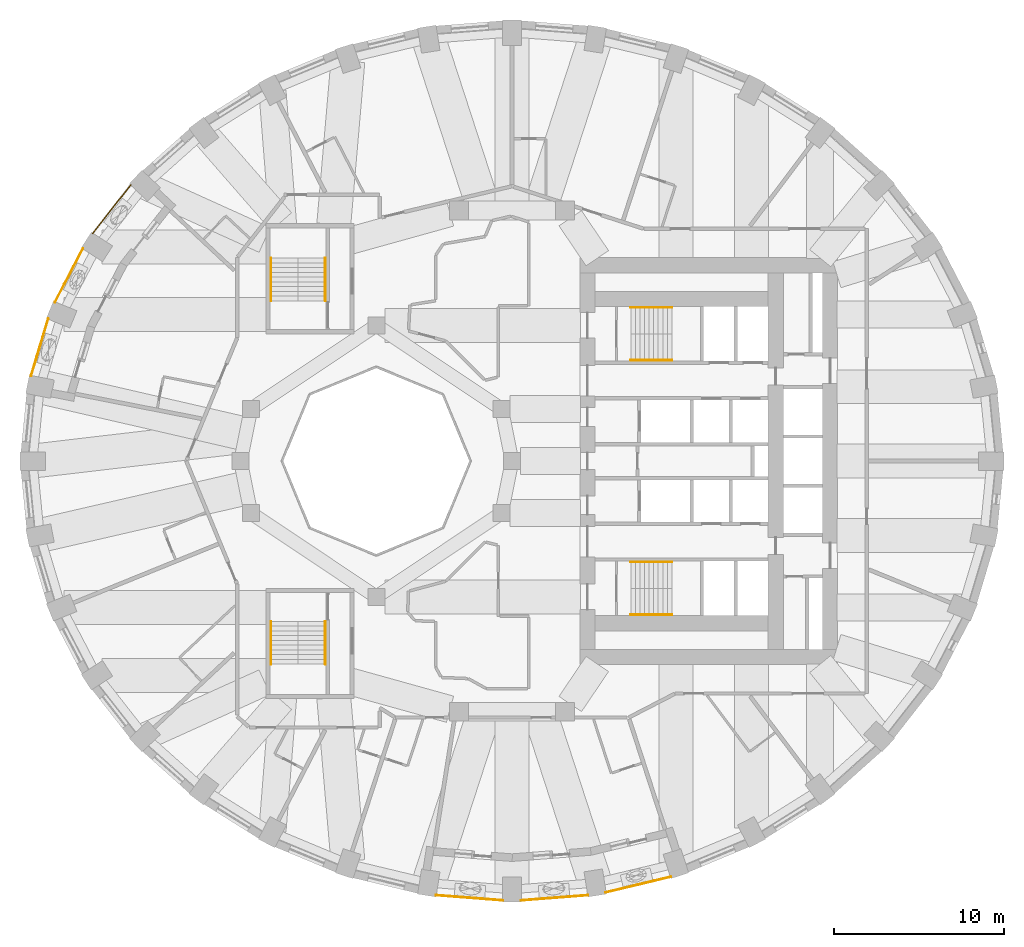
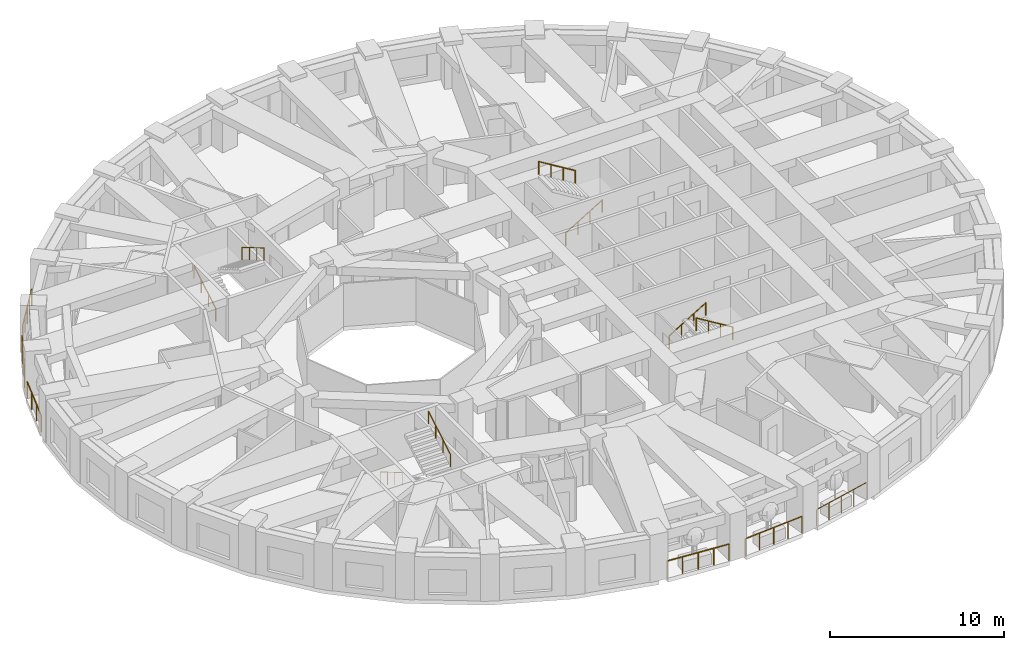
# One storey, part 11 of 13: 14 railings.
"""IFC4 building model written with IfcOpenShell, lengths in metres."""

import ifcopenshell
import ifcopenshell.guid

model = None  # the IFC model being written
_history = None  # IfcOwnerHistory: only IFC2X3 demands one
_inside = {}  # id of a spatial element -> (the spatial element, [elements in it])
_under = {}  # id of a project, library or spatial element -> (it, [spatial elements below it])
_declared = {}  # id of a project -> (the project, [libraries it declares])
_typed = {}  # id of a type object -> (the type object, [elements of that type])
_made_of = {}  # id of a material, layer set ... -> (it, [elements and type objects made of it])


def new_model(schema):
    """Start an empty IFC model of exactly this schema.

    Asked for "IFC4X3", IfcOpenShell would pick the latest addendum, in which some entities
    have other attributes; the version numbers below select the first issue.
    IFC2X3 requires an IfcOwnerHistory on every rooted entity: one is made here for all.
    """
    global model, _history
    if schema == "IFC4X3":
        model = ifcopenshell.file(schema_version=(4, 3, 0, 0))
    else:
        model = ifcopenshell.file(schema=schema)
    _inside.clear()
    _under.clear()
    _declared.clear()
    _typed.clear()
    _made_of.clear()
    _history = None
    if model.schema == "IFC2X3":
        org = make("IfcOrganization", Name="unknown")
        user = make(
            "IfcPersonAndOrganization",
            ThePerson=make("IfcPerson", FamilyName="unknown"),
            TheOrganization=org,
        )
        app = make(
            "IfcApplication",
            ApplicationDeveloper=org,
            Version="unknown",
            ApplicationFullName="unknown",
            ApplicationIdentifier="unknown",
        )
        _history = make(
            "IfcOwnerHistory",
            OwningUser=user,
            OwningApplication=app,
            ChangeAction="ADDED",
            CreationDate=0,
        )
    return model


def make(cls, **values):
    """One entity of the class cls with the attributes given. An attribute that is None is left unset."""
    return model.create_entity(
        cls, **{name: value for name, value in values.items() if value is not None}
    )


def rooted(cls, **values):
    """An entity with a GlobalId (a new one), such as an element, a storey or a relation."""
    return make(cls, GlobalId=ifcopenshell.guid.new(), OwnerHistory=_history, **values)


def si_unit(unit_type, name, prefix=None):
    """IfcSIUnit, for example si_unit("LENGTHUNIT", "METRE", prefix="MILLI")."""
    return make("IfcSIUnit", UnitType=unit_type, Prefix=prefix, Name=name)


def assignment(units):
    """IfcUnitAssignment: the units of a project."""
    return None if units is None else make("IfcUnitAssignment", Units=units)


def point(xyz):
    """IfcCartesianPoint."""
    return None if xyz is None else make("IfcCartesianPoint", Coordinates=xyz)


def direction(xyz):
    """IfcDirection."""
    return None if xyz is None else make("IfcDirection", DirectionRatios=xyz)


def frame(location, z_axis=None, x_axis=None):
    """IfcAxis2Placement3D, a coordinate frame: its origin and axes. An axis left out is left unset."""
    return make(
        "IfcAxis2Placement3D",
        Location=point(location),
        Axis=direction(z_axis),
        RefDirection=direction(x_axis),
    )


def frame_2d(location, x_axis=None):
    """IfcAxis2Placement2D, a coordinate frame in the plane: its origin and x axis."""
    return make(
        "IfcAxis2Placement2D", Location=point(location), RefDirection=direction(x_axis)
    )


def origin():
    """The frame at (0, 0, 0) with its axes left unset."""
    return frame((0.0, 0.0, 0.0))


def origin_2d():
    """The frame at (0, 0) in the plane with its x axis left unset."""
    return frame_2d((0.0, 0.0))


def place(relative_to, where):
    """IfcLocalPlacement: puts the frame where relative to a parent placement (None: the world)."""
    return make(
        "IfcLocalPlacement", PlacementRelTo=relative_to, RelativePlacement=where
    )


def context(
    kind, dimensions, precision=None, world=None, true_north=None, identifier=None
):
    """IfcGeometricRepresentationContext, for example the 3D "Model" context."""
    return make(
        "IfcGeometricRepresentationContext",
        ContextIdentifier=identifier,
        ContextType=kind,
        CoordinateSpaceDimension=dimensions,
        Precision=precision,
        WorldCoordinateSystem=world,
        TrueNorth=true_north,
    )


def subcontext(parent, identifier, kind, view, scale=None):
    """IfcGeometricRepresentationSubContext, for example "Body" below "Model"."""
    return make(
        "IfcGeometricRepresentationSubContext",
        ContextIdentifier=identifier,
        ContextType=kind,
        ParentContext=parent,
        TargetScale=scale,
        TargetView=view,
    )


def project(units=None, contexts=None):
    """IfcProject with its units and contexts."""
    return rooted(
        "IfcProject",
        Name="project",
        RepresentationContexts=contexts,
        UnitsInContext=assignment(units),
    )


def spatial(cls, under=None, at=None, **own):
    """A site, building, storey or space (cls), placed at a placement, below another one or the project."""
    s = rooted(cls, ObjectPlacement=at, **own)
    if under is not None:
        _under.setdefault(under.id(), (under, []))[1].append(s)
    return s


def profile(cls, at=None, kind="AREA", **sizes):
    """A parametric profile (cls). Its sizes go by their IFC names, for example OverallWidth=200.0."""
    return make(cls, ProfileType=kind, Position=at, **sizes)


def circle(**sizes):
    """IfcCircleProfileDef."""
    return profile("IfcCircleProfileDef", **sizes)


def extrude(swept, where, along, depth):
    """IfcExtrudedAreaSolid: the profile swept, set in the frame where, extruded along a direction by depth."""
    return make(
        "IfcExtrudedAreaSolid",
        SweptArea=swept,
        Position=where,
        ExtrudedDirection=direction(along),
        Depth=depth,
    )


def shape(context_of_items, identifier, shape_type, items):
    """IfcShapeRepresentation: the items that make up one representation, for example the "Body"."""
    return make(
        "IfcShapeRepresentation",
        ContextOfItems=context_of_items,
        RepresentationIdentifier=identifier,
        RepresentationType=shape_type,
        Items=items,
    )


def material(Name=None, Category=None):
    """IfcMaterial."""
    return make("IfcMaterial", Name=Name, Category=Category)


def made_of(thing, what):
    """Note that an element or type object is made of a material, layer set ...; save() writes the relation."""
    if what is not None:
        _made_of.setdefault(what.id(), (what, []))[1].append(thing)
    return thing


def type_object(cls, material=None, **own):
    """A type object (cls), such as IfcWallType, which elements share."""
    return made_of(rooted(cls, **own), material)


def element(
    cls,
    number,
    at=None,
    inside=None,
    cuts=None,
    type_object=None,
    material=None,
    context=None,
    identifier="Body",
    shape_type=None,
    held_by="IfcProductDefinitionShape",
    body=None,
    shapes=None,
    **own,
):
    """One element of the class cls, such as IfcWall. Its Tag is "e" and its number.

    at: its placement. inside: the storey or other place that contains it. cuts: it is an
    opening in that element (IfcRelVoidsElement). A single representation is given by context,
    identifier, shape_type and body (its items); several are given by shapes. held_by: the class
    of the entity that holds the representations. save() writes the other relations.
    """
    e = rooted(cls, Tag="e%d" % number, ObjectPlacement=at, **own)
    if body is not None:
        shapes = [shape(context, identifier, shape_type, body)]
    if shapes is not None:
        e.Representation = make(held_by, Representations=shapes)
    if inside is not None:
        _inside.setdefault(inside.id(), (inside, []))[1].append(e)
    if cuts is not None:
        rooted(
            "IfcRelVoidsElement", RelatingBuildingElement=cuts, RelatedOpeningElement=e
        )
    if type_object is not None:
        _typed.setdefault(type_object.id(), (type_object, []))[1].append(e)
    return made_of(e, material)


def aggregate(whole, parts):
    """IfcRelAggregates: a whole, such as a stair, and the parts it consists of."""
    return rooted("IfcRelAggregates", RelatingObject=whole, RelatedObjects=parts)


def save(model, path):
    """Write the relations noted so far, then the file.

    IfcRelAggregates (storeys below a building ...), IfcRelContainedInSpatialStructure (elements
    in a storey), IfcRelDefinesByType, IfcRelAssociatesMaterial and IfcRelDeclares: one each for
    every whole, place, type object, material and project.
    """
    for whole, parts in _under.values():
        aggregate(whole, parts)
    for where, things in _inside.values():
        rooted(
            "IfcRelContainedInSpatialStructure",
            RelatedElements=things,
            RelatingStructure=where,
        )
    for kind, things in _typed.values():
        rooted("IfcRelDefinesByType", RelatedObjects=things, RelatingType=kind)
    for what, things in _made_of.values():
        rooted("IfcRelAssociatesMaterial", RelatedObjects=things, RelatingMaterial=what)
    for by, libraries in _declared.values():
        rooted("IfcRelDeclares", RelatingContext=by, RelatedDefinitions=libraries)
    model.write(path)


model = new_model("IFC4")

# Units and contexts
model_context = context("Model", 3, precision=1e-05, world=origin(), true_north=direction((0.0, 1.0)))
body_context = subcontext(model_context, "Body", "Model", "MODEL_VIEW")
ifc_project = project(units=[si_unit("LENGTHUNIT", "METRE"), si_unit("AREAUNIT", "SQUARE_METRE"), si_unit("VOLUMEUNIT", "CUBIC_METRE"), si_unit("PLANEANGLEUNIT", "RADIAN"), si_unit("MASSUNIT", "GRAM", prefix="KILO")], contexts=[model_context])

# Site, building, storey
site_placement = place(None, origin())
site = spatial("IfcSite", under=ifc_project, at=site_placement, CompositionType="ELEMENT")
building_placement = place(site_placement, origin())
building = spatial("IfcBuilding", under=site, at=building_placement, Name="Taillehof Tower", CompositionType="ELEMENT")
storey_placement = place(building_placement, frame((0.0, 0.0, 74.5)))
storey = spatial("IfcBuildingStorey", under=building, at=storey_placement, Name="L20", CompositionType="ELEMENT", Elevation=74.5)

# Railings
ifc_material_1 = material(Name="Stainless steel balustrade", Category="steel")
railing_type_1 = type_object("IfcRailingType", Name="Balcony guard 1200", PredefinedType="GUARDRAIL", material=ifc_material_1)
railing_1_placement = place(storey_placement, frame((-4.483154296875, -25.589111328125, 0.0)))
element("IfcRailing", 1, at=railing_1_placement, inside=storey, type_object=railing_type_1, Name="Balcony guard L20 bay 27", PredefinedType="GUARDRAIL", context=body_context, shape_type="SweptSolid", body=[
    extrude(circle(Radius=0.02392578125, at=origin_2d()), frame((0.0, 0.0, 1.17578125), z_axis=(0.996952571778, -0.078010061045, 0.0), x_axis=(0.078010061045, 0.996952571778, 0.0)), (0.0, 0.0, 1.0), 3.965087890625),
    extrude(circle(Radius=0.02099609375, at=origin_2d()), origin(), (0.0, 0.0, 1.0), 1.15185546875),
    extrude(circle(Radius=0.02099609375, at=origin_2d()), frame((0.98828125, -0.077392578125, 0.0)), (0.0, 0.0, 1.0), 1.15185546875),
    extrude(circle(Radius=0.02099609375, at=origin_2d()), frame((1.9765625, -0.15478515625, 0.0)), (0.0, 0.0, 1.0), 1.15185546875),
    extrude(circle(Radius=0.02099609375, at=origin_2d()), frame((2.96484375, -0.23193359375, 0.0)), (0.0, 0.0, 1.0), 1.15185546875),
    extrude(circle(Radius=0.02099609375, at=origin_2d()), frame((3.953125, -0.309326171875, 0.0)), (0.0, 0.0, 1.0), 1.15185546875),
])
railing_2_placement = place(storey_placement, frame((0.530029296875, -25.8984375, 0.0)))
element("IfcRailing", 2, at=railing_2_placement, inside=storey, type_object=railing_type_1, Name="Balcony guard L20 bay 28", PredefinedType="GUARDRAIL", context=body_context, shape_type="SweptSolid", body=[
    extrude(circle(Radius=0.02392578125, at=origin_2d()), frame((0.0, 0.0, 1.17578125), z_axis=(0.996952571778, 0.078010061045, 0.0), x_axis=(-0.078010061045, 0.996952571778, 0.0)), (0.0, 0.0, 1.0), 3.965087890625),
    extrude(circle(Radius=0.02099609375, at=origin_2d()), origin(), (0.0, 0.0, 1.0), 1.15185546875),
    extrude(circle(Radius=0.02099609375, at=origin_2d()), frame((0.98828125, 0.077392578125, 0.0)), (0.0, 0.0, 1.0), 1.15185546875),
    extrude(circle(Radius=0.02099609375, at=origin_2d()), frame((1.9765625, 0.15478515625, 0.0)), (0.0, 0.0, 1.0), 1.15185546875),
    extrude(circle(Radius=0.02099609375, at=origin_2d()), frame((2.96484375, 0.23193359375, 0.0)), (0.0, 0.0, 1.0), 1.15185546875),
    extrude(circle(Radius=0.02099609375, at=origin_2d()), frame((3.953125, 0.309326171875, 0.0)), (0.0, 0.0, 1.0), 1.15185546875),
])
railing_3_placement = place(storey_placement, frame((5.5302734375, -25.423828125, 0.0)))
element("IfcRailing", 3, at=railing_3_placement, inside=storey, type_object=railing_type_1, Name="Balcony guard L20 bay 29", PredefinedType="GUARDRAIL", context=body_context, shape_type="SweptSolid", body=[
    extrude(circle(Radius=0.02392578125, at=origin_2d()), frame((0.0, 0.0, 1.17578125), z_axis=(0.972495275648, 0.232922602687, 0.0), x_axis=(-0.232922602687, 0.972495275648, 0.0)), (0.0, 0.0, 1.0), 3.93701171875),
    extrude(circle(Radius=0.02099609375, at=origin_2d()), origin(), (0.0, 0.0, 1.0), 1.15185546875),
    extrude(circle(Radius=0.02099609375, at=origin_2d()), frame((0.95703125, 0.229248046875, 0.0)), (0.0, 0.0, 1.0), 1.15185546875),
    extrude(circle(Radius=0.02099609375, at=origin_2d()), frame((1.914306640625, 0.45849609375, 0.0)), (0.0, 0.0, 1.0), 1.15185546875),
    extrude(circle(Radius=0.02099609375, at=origin_2d()), frame((2.87158203125, 0.687744140625, 0.0)), (0.0, 0.0, 1.0), 1.15185546875),
    extrude(circle(Radius=0.02099609375, at=origin_2d()), frame((3.82861328125, 0.9169921875, 0.0)), (0.0, 0.0, 1.0), 1.15185546875),
])
railing_4_placement = place(storey_placement, frame((-22.472412109375, 16.28271484375, 0.0)))
element("IfcRailing", 4, at=railing_4_placement, inside=storey, type_object=railing_type_1, Name="Balcony guard L20 bay 15", PredefinedType="GUARDRAIL", context=body_context, shape_type="SweptSolid", body=[
    extrude(circle(Radius=0.02392578125, at=origin_2d()), frame((0.0, 0.0, 1.17578125), z_axis=(-0.616653661131, -0.787234566196, 0.0), x_axis=(0.787234566196, -0.616653661131, 0.0)), (0.0, 0.0, 1.0), 3.6396484375),
    extrude(circle(Radius=0.02099609375, at=origin_2d()), origin(), (0.0, 0.0, 1.0), 1.15185546875),
    extrude(circle(Radius=0.02099609375, at=origin_2d()), frame((-0.56103515625, -0.71630859375, 0.0)), (0.0, 0.0, 1.0), 1.15185546875),
    extrude(circle(Radius=0.02099609375, at=origin_2d()), frame((-1.1220703125, -1.4326171875, 0.0)), (0.0, 0.0, 1.0), 1.15185546875),
    extrude(circle(Radius=0.02099609375, at=origin_2d()), frame((-1.683349609375, -2.14892578125, 0.0)), (0.0, 0.0, 1.0), 1.15185546875),
    extrude(circle(Radius=0.02099609375, at=origin_2d()), frame((-2.244384765625, -2.865234375, 0.0)), (0.0, 0.0, 1.0), 1.15185546875),
])
railing_5_placement = place(storey_placement, frame((-25.291259765625, 12.526611328125, 0.0)))
element("IfcRailing", 5, at=railing_5_placement, inside=storey, type_object=railing_type_1, Name="Balcony guard L20 bay 16", PredefinedType="GUARDRAIL", context=body_context, shape_type="SweptSolid", body=[
    extrude(circle(Radius=0.02392578125, at=origin_2d()), frame((0.0, 0.0, 1.17578125), z_axis=(-0.462523854419, -0.886606837382, 0.0), x_axis=(0.886606837382, -0.462523854419, 0.0)), (0.0, 0.0, 1.0), 3.56298828125),
    extrude(circle(Radius=0.02099609375, at=origin_2d()), origin(), (0.0, 0.0, 1.0), 1.15185546875),
    extrude(circle(Radius=0.02099609375, at=origin_2d()), frame((-0.54931640625, -1.052978515625, 0.0)), (0.0, 0.0, 1.0), 1.15185546875),
    extrude(circle(Radius=0.02099609375, at=origin_2d()), frame((-1.0986328125, -2.10595703125, 0.0)), (0.0, 0.0, 1.0), 1.15185546875),
    extrude(circle(Radius=0.02099609375, at=origin_2d()), frame((-1.64794921875, -3.158935546875, 0.0)), (0.0, 0.0, 1.0), 1.15185546875),
])
railing_6_placement = place(storey_placement, frame((-27.33837890625, 8.385498046875, 0.0)))
element("IfcRailing", 6, at=railing_6_placement, inside=storey, type_object=railing_type_1, Name="Balcony guard L20 bay 17", PredefinedType="GUARDRAIL", context=body_context, shape_type="SweptSolid", body=[
    extrude(circle(Radius=0.02392578125, at=origin_2d()), frame((0.0, 0.0, 1.17578125), z_axis=(-0.287098668231, -0.957901015085, 0.0), x_axis=(0.957901015085, -0.287098668231, 0.0)), (0.0, 0.0, 1.0), 3.505126953125),
    extrude(circle(Radius=0.02099609375, at=origin_2d()), origin(), (0.0, 0.0, 1.0), 1.15185546875),
    extrude(circle(Radius=0.02099609375, at=origin_2d()), frame((-0.33544921875, -1.119140625, 0.0)), (0.0, 0.0, 1.0), 1.15185546875),
    extrude(circle(Radius=0.02099609375, at=origin_2d()), frame((-0.6708984375, -2.238525390625, 0.0)), (0.0, 0.0, 1.0), 1.15185546875),
    extrude(circle(Radius=0.02099609375, at=origin_2d()), frame((-1.00634765625, -3.357666015625, 0.0)), (0.0, 0.0, 1.0), 1.15185546875),
])
ifc_material_2 = material(Name="Stainless steel", Category="steel")
railing_type_2 = type_object("IfcRailingType", Name="Stair handrail 900", PredefinedType="HANDRAIL", material=ifc_material_2)
railing_7_placement = place(storey_placement, frame((7.0, 5.949951171875, 0.1650390625)))
element("IfcRailing", 7, at=railing_7_placement, inside=storey, type_object=railing_type_2, Name="Stair S1 handrail", PredefinedType="HANDRAIL", context=body_context, shape_type="SweptSolid", body=[
    extrude(circle(Radius=0.02392578125, at=origin_2d()), frame((0.0, 0.0, 0.8759765625), z_axis=(0.853296667938, 0.0, 0.521425734392), x_axis=(0.0, 1.0, 0.0)), (0.0, 0.0, 1.0), 2.84765625),
    extrude(circle(Radius=0.02099609375, at=origin_2d()), origin(), (0.0, 0.0, 1.0), 0.851806640625),
    extrude(circle(Radius=0.02099609375, at=origin_2d()), frame((0.81005859375, 0.0, 0.494873046875)), (0.0, 0.0, 1.0), 0.851806640625),
    extrude(circle(Radius=0.02099609375, at=origin_2d()), frame((1.619873046875, 0.0, 0.989990234375)), (0.0, 0.0, 1.0), 0.851806640625),
    extrude(circle(Radius=0.02099609375, at=origin_2d()), frame((2.429931640625, 0.0, 1.48486328125)), (0.0, 0.0, 1.0), 0.851806640625),
])
railing_8_placement = place(storey_placement, frame((9.429931640625, 9.050048828125, 1.81494140625)))
element("IfcRailing", 8, at=railing_8_placement, inside=storey, type_object=railing_type_2, Name="Stair S1 handrail", PredefinedType="HANDRAIL", context=body_context, shape_type="SweptSolid", body=[
    extrude(circle(Radius=0.02392578125, at=origin_2d()), frame((0.0, 0.0, 0.8759765625), z_axis=(-0.853258522278, 0.0, 0.521488153423), x_axis=(0.0, -1.0, 0.0)), (0.0, 0.0, 1.0), 2.847900390625),
    extrude(circle(Radius=0.02099609375, at=origin_2d()), origin(), (0.0, 0.0, 1.0), 0.851806640625),
    extrude(circle(Radius=0.02099609375, at=origin_2d()), frame((-0.81005859375, 0.0, 0.4951171875)), (0.0, 0.0, 1.0), 0.851806640625),
    extrude(circle(Radius=0.02099609375, at=origin_2d()), frame((-1.619873046875, 0.0, 0.989990234375)), (0.0, 0.0, 1.0), 0.851806640625),
    extrude(circle(Radius=0.02099609375, at=origin_2d()), frame((-2.429931640625, 0.0, 1.485107421875)), (0.0, 0.0, 1.0), 0.851806640625),
])
railing_9_placement = place(storey_placement, frame((7.0, -5.949951171875, 0.1650390625)))
element("IfcRailing", 9, at=railing_9_placement, inside=storey, type_object=railing_type_2, Name="Stair S2 handrail", PredefinedType="HANDRAIL", context=body_context, shape_type="SweptSolid", body=[
    extrude(circle(Radius=0.02392578125, at=origin_2d()), frame((0.0, 0.0, 0.8759765625), z_axis=(0.853296667938, 0.0, 0.521425734392), x_axis=(0.0, 1.0, 0.0)), (0.0, 0.0, 1.0), 2.84765625),
    extrude(circle(Radius=0.02099609375, at=origin_2d()), origin(), (0.0, 0.0, 1.0), 0.851806640625),
    extrude(circle(Radius=0.02099609375, at=origin_2d()), frame((0.81005859375, 0.0, 0.494873046875)), (0.0, 0.0, 1.0), 0.851806640625),
    extrude(circle(Radius=0.02099609375, at=origin_2d()), frame((1.619873046875, 0.0, 0.989990234375)), (0.0, 0.0, 1.0), 0.851806640625),
    extrude(circle(Radius=0.02099609375, at=origin_2d()), frame((2.429931640625, 0.0, 1.48486328125)), (0.0, 0.0, 1.0), 0.851806640625),
])
railing_10_placement = place(storey_placement, frame((9.429931640625, -9.050048828125, 1.81494140625)))
element("IfcRailing", 10, at=railing_10_placement, inside=storey, type_object=railing_type_2, Name="Stair S2 handrail", PredefinedType="HANDRAIL", context=body_context, shape_type="SweptSolid", body=[
    extrude(circle(Radius=0.02392578125, at=origin_2d()), frame((0.0, 0.0, 0.8759765625), z_axis=(-0.853258522278, 0.0, 0.521488153423), x_axis=(0.0, -1.0, 0.0)), (0.0, 0.0, 1.0), 2.847900390625),
    extrude(circle(Radius=0.02099609375, at=origin_2d()), origin(), (0.0, 0.0, 1.0), 0.851806640625),
    extrude(circle(Radius=0.02099609375, at=origin_2d()), frame((-0.81005859375, 0.0, 0.4951171875)), (0.0, 0.0, 1.0), 0.851806640625),
    extrude(circle(Radius=0.02099609375, at=origin_2d()), frame((-1.619873046875, 0.0, 0.989990234375)), (0.0, 0.0, 1.0), 0.851806640625),
    extrude(circle(Radius=0.02099609375, at=origin_2d()), frame((-2.429931640625, 0.0, 1.485107421875)), (0.0, 0.0, 1.0), 0.851806640625),
])
railing_11_placement = place(storey_placement, frame((-14.199951171875, 9.449951171875, 0.1650390625)))
element("IfcRailing", 11, at=railing_11_placement, inside=storey, type_object=railing_type_2, Name="Stair S3 handrail", PredefinedType="HANDRAIL", context=body_context, shape_type="SweptSolid", body=[
    extrude(circle(Radius=0.02392578125, at=origin_2d()), frame((0.0, 0.0, 0.8759765625), z_axis=(0.0, 0.861560626758, 0.507654692109), x_axis=(-1.0, 0.0, 0.0)), (0.0, 0.0, 1.0), 2.925048828125),
    extrude(circle(Radius=0.02099609375, at=origin_2d()), origin(), (0.0, 0.0, 1.0), 0.851806640625),
    extrude(circle(Radius=0.02099609375, at=origin_2d()), frame((0.0, 0.840087890625, 0.494873046875)), (0.0, 0.0, 1.0), 0.851806640625),
    extrude(circle(Radius=0.02099609375, at=origin_2d()), frame((0.0, 1.679931640625, 0.989990234375)), (0.0, 0.0, 1.0), 0.851806640625),
    extrude(circle(Radius=0.02099609375, at=origin_2d()), frame((0.0, 2.52001953125, 1.48486328125)), (0.0, 0.0, 1.0), 0.851806640625),
])
railing_12_placement = place(storey_placement, frame((-11.0, 11.969970703125, 1.81494140625)))
element("IfcRailing", 12, at=railing_12_placement, inside=storey, type_object=railing_type_2, Name="Stair S3 handrail", PredefinedType="HANDRAIL", context=body_context, shape_type="SweptSolid", body=[
    extrude(circle(Radius=0.02392578125, at=origin_2d()), frame((0.0, 0.0, 0.8759765625), z_axis=(0.0, -0.86152411907, 0.507716645641), x_axis=(1.0, 0.0, 0.0)), (0.0, 0.0, 1.0), 2.925048828125),
    extrude(circle(Radius=0.02099609375, at=origin_2d()), origin(), (0.0, 0.0, 1.0), 0.851806640625),
    extrude(circle(Radius=0.02099609375, at=origin_2d()), frame((0.0, -0.840087890625, 0.4951171875)), (0.0, 0.0, 1.0), 0.851806640625),
    extrude(circle(Radius=0.02099609375, at=origin_2d()), frame((0.0, -1.679931640625, 0.989990234375)), (0.0, 0.0, 1.0), 0.851806640625),
    extrude(circle(Radius=0.02099609375, at=origin_2d()), frame((0.0, -2.52001953125, 1.485107421875)), (0.0, 0.0, 1.0), 0.851806640625),
])
railing_13_placement = place(storey_placement, frame((-14.199951171875, -9.449951171875, 0.1650390625)))
element("IfcRailing", 13, at=railing_13_placement, inside=storey, type_object=railing_type_2, Name="Stair S4 handrail", PredefinedType="HANDRAIL", context=body_context, shape_type="SweptSolid", body=[
    extrude(circle(Radius=0.02392578125, at=origin_2d()), frame((0.0, 0.0, 0.8759765625), z_axis=(0.0, -0.861560626758, 0.507654692109), x_axis=(1.0, 0.0, 0.0)), (0.0, 0.0, 1.0), 2.925048828125),
    extrude(circle(Radius=0.02099609375, at=origin_2d()), origin(), (0.0, 0.0, 1.0), 0.851806640625),
    extrude(circle(Radius=0.02099609375, at=origin_2d()), frame((0.0, -0.840087890625, 0.494873046875)), (0.0, 0.0, 1.0), 0.851806640625),
    extrude(circle(Radius=0.02099609375, at=origin_2d()), frame((0.0, -1.679931640625, 0.989990234375)), (0.0, 0.0, 1.0), 0.851806640625),
    extrude(circle(Radius=0.02099609375, at=origin_2d()), frame((0.0, -2.52001953125, 1.48486328125)), (0.0, 0.0, 1.0), 0.851806640625),
])
railing_14_placement = place(storey_placement, frame((-11.0, -11.969970703125, 1.81494140625)))
element("IfcRailing", 14, at=railing_14_placement, inside=storey, type_object=railing_type_2, Name="Stair S4 handrail", PredefinedType="HANDRAIL", context=body_context, shape_type="SweptSolid", body=[
    extrude(circle(Radius=0.02392578125, at=origin_2d()), frame((0.0, 0.0, 0.8759765625), z_axis=(0.0, 0.86152411907, 0.507716645641), x_axis=(-1.0, 0.0, 0.0)), (0.0, 0.0, 1.0), 2.925048828125),
    extrude(circle(Radius=0.02099609375, at=origin_2d()), origin(), (0.0, 0.0, 1.0), 0.851806640625),
    extrude(circle(Radius=0.02099609375, at=origin_2d()), frame((0.0, 0.840087890625, 0.4951171875)), (0.0, 0.0, 1.0), 0.851806640625),
    extrude(circle(Radius=0.02099609375, at=origin_2d()), frame((0.0, 1.679931640625, 0.989990234375)), (0.0, 0.0, 1.0), 0.851806640625),
    extrude(circle(Radius=0.02099609375, at=origin_2d()), frame((0.0, 2.52001953125, 1.485107421875)), (0.0, 0.0, 1.0), 0.851806640625),
])

save(model, "model.ifc")
